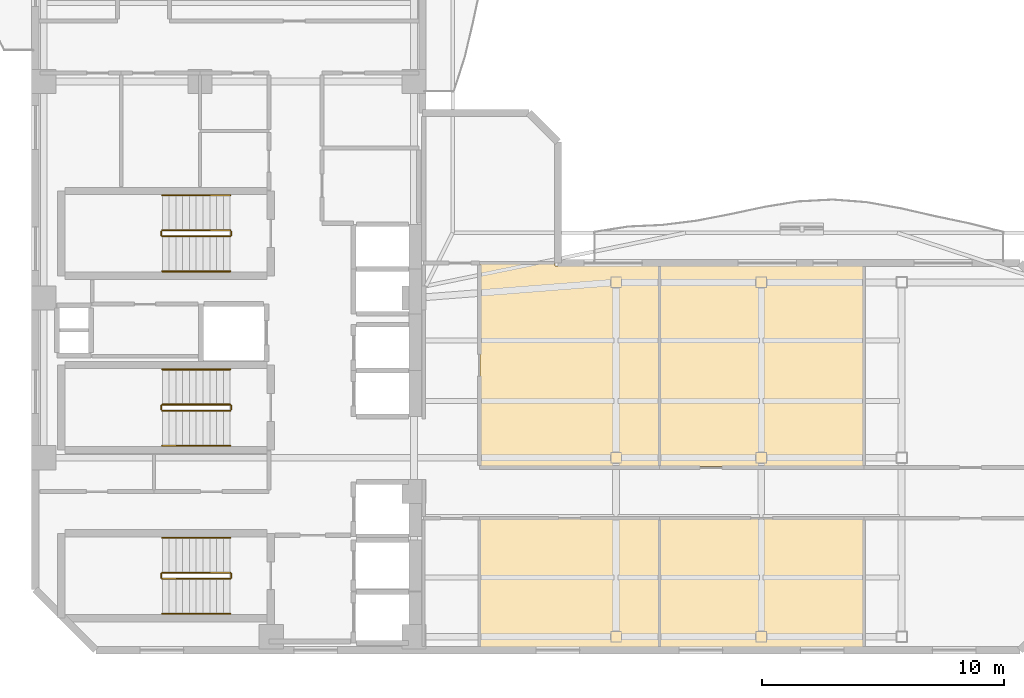
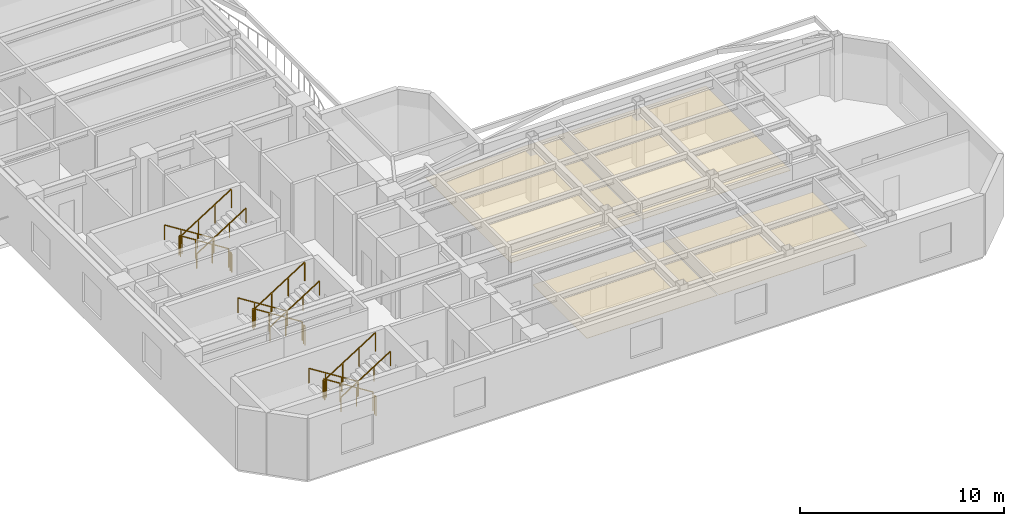
# One storey, part 7 of 9: 18 railings, 4 coverings.
"""IFC4 building model written with IfcOpenShell, lengths in metres."""

from ifc_helpers import new_model, si_unit, direction, frame, origin, origin_2d, place, context, subcontext, project, spatial, polyline, rectangle, outline, extrude, material, layer, layer_set, type_object, element, save


model = new_model("IFC4")

# Units and contexts
model_context = context("Model", 3, precision=1e-05, world=origin(), true_north=direction((0.0, 1.0)))
body_context = subcontext(model_context, "Body", "Model", "MODEL_VIEW")
ifc_project = project(units=[si_unit("LENGTHUNIT", "METRE"), si_unit("AREAUNIT", "SQUARE_METRE"), si_unit("VOLUMEUNIT", "CUBIC_METRE"), si_unit("PLANEANGLEUNIT", "RADIAN"), si_unit("MASSUNIT", "GRAM", prefix="KILO")], contexts=[model_context])

# Site, building, storey
site_placement = place(None, origin())
site = spatial("IfcSite", under=ifc_project, at=site_placement, CompositionType="ELEMENT")
building_placement = place(site_placement, origin())
building = spatial("IfcBuilding", under=site, at=building_placement, Name="Mawjaban Terraces University", CompositionType="ELEMENT")
storey_placement = place(building_placement, frame((0.0, 0.0, 222.60009765625)))
storey = spatial("IfcBuildingStorey", under=building, at=storey_placement, Name="L54", CompositionType="ELEMENT", Elevation=222.60009765625)

# Coverings
ifc_material_1 = material(Name="Acoustic mineral fibre ceiling tile", Category="masonry")
ifc_layer = layer(ifc_material_1, 0.02001953125)
ifc_layer_set = layer_set([ifc_layer], Name="Acoustic mineral fibre ceiling tile")
covering_type = type_object("IfcCoveringType", Name="AcousticMineralCeiling_20", PredefinedType="CEILING", material=ifc_layer_set)
covering_1_placement = place(storey_placement, frame((0.0, 0.0, 2.75)))
element("IfcCovering", 1, at=covering_1_placement, inside=storey, type_object=covering_type, Name="L54 Academic Counseling Room 2 Acoustic Ceiling", PredefinedType="CEILING", context=body_context, shape_type="SweptSolid", body=[
    extrude(outline(polyline([(40.3798828125, 0.114990234375), (47.77490234375, 0.114990234375), (47.77490234375, 5.419921875), (40.3798828125, 5.419921875), (40.3798828125, 0.114990234375)])), origin(), (0.0, 0.0, 1.0), 0.02001953125),
])
covering_2_placement = place(storey_placement, frame((0.0, 0.0, 2.75)))
element("IfcCovering", 2, at=covering_2_placement, inside=storey, type_object=covering_type, Name="L54 Academic Counseling Room 3 Acoustic Ceiling", PredefinedType="CEILING", context=body_context, shape_type="SweptSolid", body=[
    extrude(outline(polyline([(47.77490234375, 15.885009765625), (43.485107421875, 15.885009765625), (43.485107421875, 15.969970703125), (40.3798828125, 15.969970703125), (40.3798828125, 7.580078125), (47.77490234375, 7.580078125), (47.77490234375, 15.885009765625)])), origin(), (0.0, 0.0, 1.0), 0.02001953125),
])
covering_3_placement = place(storey_placement, frame((0.0, 0.0, 2.75)))
element("IfcCovering", 3, at=covering_3_placement, inside=storey, type_object=covering_type, Name="L54 Academic Counseling Room 4 Acoustic Ceiling", PredefinedType="CEILING", context=body_context, shape_type="SweptSolid", body=[
    extrude(outline(polyline([(47.8349609375, 0.114990234375), (56.22412109375, 0.114990234375), (56.22412109375, 5.419921875), (47.8349609375, 5.419921875), (47.8349609375, 0.114990234375)])), origin(), (0.0, 0.0, 1.0), 0.02001953125),
])
covering_4_placement = place(storey_placement, frame((0.0, 0.0, 2.75)))
element("IfcCovering", 4, at=covering_4_placement, inside=storey, type_object=covering_type, Name="L54 Faculty Office 5 Acoustic Ceiling", PredefinedType="CEILING", context=body_context, shape_type="SweptSolid", body=[
    extrude(outline(polyline([(56.22412109375, 15.885009765625), (47.8349609375, 15.885009765625), (47.8349609375, 7.580078125), (56.22412109375, 7.580078125), (56.22412109375, 15.885009765625)])), origin(), (0.0, 0.0, 1.0), 0.02001953125),
])

# Railings
ifc_material_2 = material(Name="Brushed stainless steel 316", Category="steel")
railing_type_1 = type_object("IfcRailingType", Name="StairWallHandrail_900", PredefinedType="HANDRAIL", material=ifc_material_2)
railing_1_placement = place(storey_placement, frame((30.050048828125, 4.64990234375, 0.17724609375)))
element("IfcRailing", 5, at=railing_1_placement, inside=storey, type_object=railing_type_1, Name="L54 ST-1 stair handrail 1", PredefinedType="HANDRAIL", context=body_context, shape_type="SweptSolid", body=[
    extrude(rectangle(XDim=0.048095703125, YDim=0.048095703125, at=origin_2d()), frame((0.0, 0.0, 0.8759765625), z_axis=(-0.844908973607, 0.0, 0.534910110503), x_axis=(0.0, -1.0, 0.0)), (0.0, 0.0, 1.0), 3.31396484375),
    extrude(rectangle(XDim=0.0419921875, YDim=0.0419921875, at=origin_2d()), origin(), (0.0, 0.0, 1.0), 0.851806640625),
    extrude(rectangle(XDim=0.0419921875, YDim=0.0419921875, at=origin_2d()), frame((-0.933349609375, 0.0, 0.5908203125)), (0.0, 0.0, 1.0), 0.851806640625),
    extrude(rectangle(XDim=0.0419921875, YDim=0.0419921875, at=origin_2d()), frame((-1.86669921875, 0.0, 1.181884765625)), (0.0, 0.0, 1.0), 0.851806640625),
    extrude(rectangle(XDim=0.0419921875, YDim=0.0419921875, at=origin_2d()), frame((-2.800048828125, 0.0, 1.772705078125)), (0.0, 0.0, 1.0), 0.851806640625),
])
railing_2_placement = place(storey_placement, frame((27.25, 1.5, 2.127197265625)))
element("IfcRailing", 6, at=railing_2_placement, inside=storey, type_object=railing_type_1, Name="L54 ST-1 stair handrail 2", PredefinedType="HANDRAIL", context=body_context, shape_type="SweptSolid", body=[
    extrude(rectangle(XDim=0.048095703125, YDim=0.048095703125, at=origin_2d()), frame((0.0, 0.0, 0.8759765625), z_axis=(0.844908973607, 0.0, 0.534910110503), x_axis=(0.0, 1.0, 0.0)), (0.0, 0.0, 1.0), 3.31396484375),
    extrude(rectangle(XDim=0.0419921875, YDim=0.0419921875, at=origin_2d()), origin(), (0.0, 0.0, 1.0), 0.851806640625),
    extrude(rectangle(XDim=0.0419921875, YDim=0.0419921875, at=origin_2d()), frame((0.933349609375, 0.0, 0.5908203125)), (0.0, 0.0, 1.0), 0.851806640625),
    extrude(rectangle(XDim=0.0419921875, YDim=0.0419921875, at=origin_2d()), frame((1.86669921875, 0.0, 1.181884765625)), (0.0, 0.0, 1.0), 0.851806640625),
    extrude(rectangle(XDim=0.0419921875, YDim=0.0419921875, at=origin_2d()), frame((2.800048828125, 0.0, 1.772705078125)), (0.0, 0.0, 1.0), 0.851806640625),
])
railing_3_placement = place(storey_placement, frame((30.050048828125, 18.800048828125, 0.17724609375)))
element("IfcRailing", 7, at=railing_3_placement, inside=storey, type_object=railing_type_1, Name="L54 ST-2 stair handrail 1", PredefinedType="HANDRAIL", context=body_context, shape_type="SweptSolid", body=[
    extrude(rectangle(XDim=0.048095703125, YDim=0.048095703125, at=origin_2d()), frame((0.0, 0.0, 0.8759765625), z_axis=(-0.844908973607, 0.0, 0.534910110503), x_axis=(0.0, -1.0, 0.0)), (0.0, 0.0, 1.0), 3.31396484375),
    extrude(rectangle(XDim=0.0419921875, YDim=0.0419921875, at=origin_2d()), origin(), (0.0, 0.0, 1.0), 0.851806640625),
    extrude(rectangle(XDim=0.0419921875, YDim=0.0419921875, at=origin_2d()), frame((-0.933349609375, 0.0, 0.5908203125)), (0.0, 0.0, 1.0), 0.851806640625),
    extrude(rectangle(XDim=0.0419921875, YDim=0.0419921875, at=origin_2d()), frame((-1.86669921875, 0.0, 1.181884765625)), (0.0, 0.0, 1.0), 0.851806640625),
    extrude(rectangle(XDim=0.0419921875, YDim=0.0419921875, at=origin_2d()), frame((-2.800048828125, 0.0, 1.772705078125)), (0.0, 0.0, 1.0), 0.851806640625),
])
railing_4_placement = place(storey_placement, frame((27.25, 15.64990234375, 2.127197265625)))
element("IfcRailing", 8, at=railing_4_placement, inside=storey, type_object=railing_type_1, Name="L54 ST-2 stair handrail 2", PredefinedType="HANDRAIL", context=body_context, shape_type="SweptSolid", body=[
    extrude(rectangle(XDim=0.048095703125, YDim=0.048095703125, at=origin_2d()), frame((0.0, 0.0, 0.8759765625), z_axis=(0.844908973607, 0.0, 0.534910110503), x_axis=(0.0, 1.0, 0.0)), (0.0, 0.0, 1.0), 3.31396484375),
    extrude(rectangle(XDim=0.0419921875, YDim=0.0419921875, at=origin_2d()), origin(), (0.0, 0.0, 1.0), 0.851806640625),
    extrude(rectangle(XDim=0.0419921875, YDim=0.0419921875, at=origin_2d()), frame((0.933349609375, 0.0, 0.5908203125)), (0.0, 0.0, 1.0), 0.851806640625),
    extrude(rectangle(XDim=0.0419921875, YDim=0.0419921875, at=origin_2d()), frame((1.86669921875, 0.0, 1.181884765625)), (0.0, 0.0, 1.0), 0.851806640625),
    extrude(rectangle(XDim=0.0419921875, YDim=0.0419921875, at=origin_2d()), frame((2.800048828125, 0.0, 1.772705078125)), (0.0, 0.0, 1.0), 0.851806640625),
])
railing_5_placement = place(storey_placement, frame((30.050048828125, 11.60009765625, 0.17724609375)))
element("IfcRailing", 9, at=railing_5_placement, inside=storey, type_object=railing_type_1, Name="L54 ST-3 stair handrail 1", PredefinedType="HANDRAIL", context=body_context, shape_type="SweptSolid", body=[
    extrude(rectangle(XDim=0.048095703125, YDim=0.048095703125, at=origin_2d()), frame((0.0, 0.0, 0.8759765625), z_axis=(-0.844908973607, 0.0, 0.534910110503), x_axis=(0.0, -1.0, 0.0)), (0.0, 0.0, 1.0), 3.31396484375),
    extrude(rectangle(XDim=0.0419921875, YDim=0.0419921875, at=origin_2d()), origin(), (0.0, 0.0, 1.0), 0.851806640625),
    extrude(rectangle(XDim=0.0419921875, YDim=0.0419921875, at=origin_2d()), frame((-0.933349609375, 0.0, 0.5908203125)), (0.0, 0.0, 1.0), 0.851806640625),
    extrude(rectangle(XDim=0.0419921875, YDim=0.0419921875, at=origin_2d()), frame((-1.86669921875, 0.0, 1.181884765625)), (0.0, 0.0, 1.0), 0.851806640625),
    extrude(rectangle(XDim=0.0419921875, YDim=0.0419921875, at=origin_2d()), frame((-2.800048828125, 0.0, 1.772705078125)), (0.0, 0.0, 1.0), 0.851806640625),
])
railing_6_placement = place(storey_placement, frame((27.25, 8.449951171875, 2.127197265625)))
element("IfcRailing", 10, at=railing_6_placement, inside=storey, type_object=railing_type_1, Name="L54 ST-3 stair handrail 2", PredefinedType="HANDRAIL", context=body_context, shape_type="SweptSolid", body=[
    extrude(rectangle(XDim=0.048095703125, YDim=0.048095703125, at=origin_2d()), frame((0.0, 0.0, 0.8759765625), z_axis=(0.844908973607, 0.0, 0.534910110503), x_axis=(0.0, 1.0, 0.0)), (0.0, 0.0, 1.0), 3.31396484375),
    extrude(rectangle(XDim=0.0419921875, YDim=0.0419921875, at=origin_2d()), origin(), (0.0, 0.0, 1.0), 0.851806640625),
    extrude(rectangle(XDim=0.0419921875, YDim=0.0419921875, at=origin_2d()), frame((0.933349609375, 0.0, 0.5908203125)), (0.0, 0.0, 1.0), 0.851806640625),
    extrude(rectangle(XDim=0.0419921875, YDim=0.0419921875, at=origin_2d()), frame((1.86669921875, 0.0, 1.181884765625)), (0.0, 0.0, 1.0), 0.851806640625),
    extrude(rectangle(XDim=0.0419921875, YDim=0.0419921875, at=origin_2d()), frame((2.800048828125, 0.0, 1.772705078125)), (0.0, 0.0, 1.0), 0.851806640625),
])
ifc_material_3 = material(Name="Galvanised painted steel S355", Category="steel")
railing_type_2 = type_object("IfcRailingType", Name="StairWellGuard_1150", PredefinedType="BALUSTRADE", material=ifc_material_3)
railing_7_placement = place(storey_placement, frame((30.050048828125, 3.199951171875, 0.17724609375)))
element("IfcRailing", 11, at=railing_7_placement, inside=storey, type_object=railing_type_2, Name="L54 ST-1 stair guard 1", PredefinedType="BALUSTRADE", context=body_context, shape_type="SweptSolid", body=[
    extrude(rectangle(XDim=0.048095703125, YDim=0.048095703125, at=origin_2d()), frame((0.0, 0.0, 1.1259765625), z_axis=(-0.844908973607, 0.0, 0.534910110503), x_axis=(0.0, -1.0, 0.0)), (0.0, 0.0, 1.0), 3.31396484375),
    extrude(rectangle(XDim=0.0419921875, YDim=0.0419921875, at=origin_2d()), origin(), (0.0, 0.0, 1.0), 1.101806640625),
    extrude(rectangle(XDim=0.0419921875, YDim=0.0419921875, at=origin_2d()), frame((-0.933349609375, 0.0, 0.5908203125)), (0.0, 0.0, 1.0), 1.101806640625),
    extrude(rectangle(XDim=0.0419921875, YDim=0.0419921875, at=origin_2d()), frame((-1.86669921875, 0.0, 1.181884765625)), (0.0, 0.0, 1.0), 1.101806640625),
    extrude(rectangle(XDim=0.0419921875, YDim=0.0419921875, at=origin_2d()), frame((-2.800048828125, 0.0, 1.772705078125)), (0.0, 0.0, 1.0), 1.101806640625),
])
railing_8_placement = place(storey_placement, frame((27.199951171875, 3.14990234375, 1.949951171875)))
element("IfcRailing", 12, at=railing_8_placement, inside=storey, type_object=railing_type_2, Name="L54 ST-1 stair guard 2", PredefinedType="BALUSTRADE", context=body_context, shape_type="SweptSolid", body=[
    extrude(rectangle(XDim=0.048095703125, YDim=0.048095703125, at=origin_2d()), frame((0.0, 0.0, 1.1259765625), z_axis=(0.0, -1.0, 0.0), x_axis=(1.0, 0.0, 0.0)), (0.0, 0.0, 1.0), 0.14990234375),
    extrude(rectangle(XDim=0.0419921875, YDim=0.0419921875, at=origin_2d()), origin(), (0.0, 0.0, 1.0), 1.101806640625),
    extrude(rectangle(XDim=0.0419921875, YDim=0.0419921875, at=origin_2d()), frame((0.0, -0.14990234375, 0.0)), (0.0, 0.0, 1.0), 1.101806640625),
])
railing_9_placement = place(storey_placement, frame((27.25, 2.949951171875, 2.127197265625)))
element("IfcRailing", 13, at=railing_9_placement, inside=storey, type_object=railing_type_2, Name="L54 ST-1 stair guard 3", PredefinedType="BALUSTRADE", context=body_context, shape_type="SweptSolid", body=[
    extrude(rectangle(XDim=0.048095703125, YDim=0.048095703125, at=origin_2d()), frame((0.0, 0.0, 1.1259765625), z_axis=(0.844908973607, 0.0, 0.534910110503), x_axis=(0.0, 1.0, 0.0)), (0.0, 0.0, 1.0), 3.31396484375),
    extrude(rectangle(XDim=0.0419921875, YDim=0.0419921875, at=origin_2d()), origin(), (0.0, 0.0, 1.0), 1.101806640625),
    extrude(rectangle(XDim=0.0419921875, YDim=0.0419921875, at=origin_2d()), frame((0.933349609375, 0.0, 0.5908203125)), (0.0, 0.0, 1.0), 1.101806640625),
    extrude(rectangle(XDim=0.0419921875, YDim=0.0419921875, at=origin_2d()), frame((1.86669921875, 0.0, 1.181884765625)), (0.0, 0.0, 1.0), 1.101806640625),
    extrude(rectangle(XDim=0.0419921875, YDim=0.0419921875, at=origin_2d()), frame((2.800048828125, 0.0, 1.772705078125)), (0.0, 0.0, 1.0), 1.101806640625),
])
railing_10_placement = place(storey_placement, frame((30.10009765625, 3.14990234375, 0.0)))
element("IfcRailing", 14, at=railing_10_placement, inside=storey, type_object=railing_type_2, Name="L54 ST-1 stair guard 4", PredefinedType="BALUSTRADE", context=body_context, shape_type="SweptSolid", body=[
    extrude(rectangle(XDim=0.048095703125, YDim=0.048095703125, at=origin_2d()), frame((0.0, 0.0, 1.1259765625), z_axis=(0.0, -1.0, 0.0), x_axis=(1.0, 0.0, 0.0)), (0.0, 0.0, 1.0), 0.14990234375),
    extrude(rectangle(XDim=0.0419921875, YDim=0.0419921875, at=origin_2d()), origin(), (0.0, 0.0, 1.0), 1.101806640625),
    extrude(rectangle(XDim=0.0419921875, YDim=0.0419921875, at=origin_2d()), frame((0.0, -0.14990234375, 0.0)), (0.0, 0.0, 1.0), 1.101806640625),
])
railing_11_placement = place(storey_placement, frame((30.050048828125, 17.35009765625, 0.17724609375)))
element("IfcRailing", 15, at=railing_11_placement, inside=storey, type_object=railing_type_2, Name="L54 ST-2 stair guard 1", PredefinedType="BALUSTRADE", context=body_context, shape_type="SweptSolid", body=[
    extrude(rectangle(XDim=0.048095703125, YDim=0.048095703125, at=origin_2d()), frame((0.0, 0.0, 1.1259765625), z_axis=(-0.844908973607, 0.0, 0.534910110503), x_axis=(0.0, -1.0, 0.0)), (0.0, 0.0, 1.0), 3.31396484375),
    extrude(rectangle(XDim=0.0419921875, YDim=0.0419921875, at=origin_2d()), origin(), (0.0, 0.0, 1.0), 1.101806640625),
    extrude(rectangle(XDim=0.0419921875, YDim=0.0419921875, at=origin_2d()), frame((-0.933349609375, 0.0, 0.5908203125)), (0.0, 0.0, 1.0), 1.101806640625),
    extrude(rectangle(XDim=0.0419921875, YDim=0.0419921875, at=origin_2d()), frame((-1.86669921875, 0.0, 1.181884765625)), (0.0, 0.0, 1.0), 1.101806640625),
    extrude(rectangle(XDim=0.0419921875, YDim=0.0419921875, at=origin_2d()), frame((-2.800048828125, 0.0, 1.772705078125)), (0.0, 0.0, 1.0), 1.101806640625),
])
railing_12_placement = place(storey_placement, frame((27.199951171875, 17.300048828125, 1.949951171875)))
element("IfcRailing", 16, at=railing_12_placement, inside=storey, type_object=railing_type_2, Name="L54 ST-2 stair guard 2", PredefinedType="BALUSTRADE", context=body_context, shape_type="SweptSolid", body=[
    extrude(rectangle(XDim=0.048095703125, YDim=0.048095703125, at=origin_2d()), frame((0.0, 0.0, 1.1259765625), z_axis=(0.0, -1.0, 0.0), x_axis=(1.0, 0.0, 0.0)), (0.0, 0.0, 1.0), 0.150146484375),
    extrude(rectangle(XDim=0.0419921875, YDim=0.0419921875, at=origin_2d()), origin(), (0.0, 0.0, 1.0), 1.101806640625),
    extrude(rectangle(XDim=0.0419921875, YDim=0.0419921875, at=origin_2d()), frame((0.0, -0.150146484375, 0.0)), (0.0, 0.0, 1.0), 1.101806640625),
])
railing_13_placement = place(storey_placement, frame((27.25, 17.10009765625, 2.127197265625)))
element("IfcRailing", 17, at=railing_13_placement, inside=storey, type_object=railing_type_2, Name="L54 ST-2 stair guard 3", PredefinedType="BALUSTRADE", context=body_context, shape_type="SweptSolid", body=[
    extrude(rectangle(XDim=0.048095703125, YDim=0.048095703125, at=origin_2d()), frame((0.0, 0.0, 1.1259765625), z_axis=(0.844908973607, 0.0, 0.534910110503), x_axis=(0.0, 1.0, 0.0)), (0.0, 0.0, 1.0), 3.31396484375),
    extrude(rectangle(XDim=0.0419921875, YDim=0.0419921875, at=origin_2d()), origin(), (0.0, 0.0, 1.0), 1.101806640625),
    extrude(rectangle(XDim=0.0419921875, YDim=0.0419921875, at=origin_2d()), frame((0.933349609375, 0.0, 0.5908203125)), (0.0, 0.0, 1.0), 1.101806640625),
    extrude(rectangle(XDim=0.0419921875, YDim=0.0419921875, at=origin_2d()), frame((1.86669921875, 0.0, 1.181884765625)), (0.0, 0.0, 1.0), 1.101806640625),
    extrude(rectangle(XDim=0.0419921875, YDim=0.0419921875, at=origin_2d()), frame((2.800048828125, 0.0, 1.772705078125)), (0.0, 0.0, 1.0), 1.101806640625),
])
railing_14_placement = place(storey_placement, frame((30.10009765625, 17.300048828125, 0.0)))
element("IfcRailing", 18, at=railing_14_placement, inside=storey, type_object=railing_type_2, Name="L54 ST-2 stair guard 4", PredefinedType="BALUSTRADE", context=body_context, shape_type="SweptSolid", body=[
    extrude(rectangle(XDim=0.048095703125, YDim=0.048095703125, at=origin_2d()), frame((0.0, 0.0, 1.1259765625), z_axis=(0.0, -1.0, 0.0), x_axis=(1.0, 0.0, 0.0)), (0.0, 0.0, 1.0), 0.150146484375),
    extrude(rectangle(XDim=0.0419921875, YDim=0.0419921875, at=origin_2d()), origin(), (0.0, 0.0, 1.0), 1.101806640625),
    extrude(rectangle(XDim=0.0419921875, YDim=0.0419921875, at=origin_2d()), frame((0.0, -0.150146484375, 0.0)), (0.0, 0.0, 1.0), 1.101806640625),
])
railing_15_placement = place(storey_placement, frame((30.050048828125, 10.14990234375, 0.17724609375)))
element("IfcRailing", 19, at=railing_15_placement, inside=storey, type_object=railing_type_2, Name="L54 ST-3 stair guard 1", PredefinedType="BALUSTRADE", context=body_context, shape_type="SweptSolid", body=[
    extrude(rectangle(XDim=0.048095703125, YDim=0.048095703125, at=origin_2d()), frame((0.0, 0.0, 1.1259765625), z_axis=(-0.844908973607, 0.0, 0.534910110503), x_axis=(0.0, -1.0, 0.0)), (0.0, 0.0, 1.0), 3.31396484375),
    extrude(rectangle(XDim=0.0419921875, YDim=0.0419921875, at=origin_2d()), origin(), (0.0, 0.0, 1.0), 1.101806640625),
    extrude(rectangle(XDim=0.0419921875, YDim=0.0419921875, at=origin_2d()), frame((-0.933349609375, 0.0, 0.5908203125)), (0.0, 0.0, 1.0), 1.101806640625),
    extrude(rectangle(XDim=0.0419921875, YDim=0.0419921875, at=origin_2d()), frame((-1.86669921875, 0.0, 1.181884765625)), (0.0, 0.0, 1.0), 1.101806640625),
    extrude(rectangle(XDim=0.0419921875, YDim=0.0419921875, at=origin_2d()), frame((-2.800048828125, 0.0, 1.772705078125)), (0.0, 0.0, 1.0), 1.101806640625),
])
railing_16_placement = place(storey_placement, frame((27.199951171875, 10.10009765625, 1.949951171875)))
element("IfcRailing", 20, at=railing_16_placement, inside=storey, type_object=railing_type_2, Name="L54 ST-3 stair guard 2", PredefinedType="BALUSTRADE", context=body_context, shape_type="SweptSolid", body=[
    extrude(rectangle(XDim=0.048095703125, YDim=0.048095703125, at=origin_2d()), frame((0.0, 0.0, 1.1259765625), z_axis=(0.0, -1.0, 0.0), x_axis=(1.0, 0.0, 0.0)), (0.0, 0.0, 1.0), 0.150146484375),
    extrude(rectangle(XDim=0.0419921875, YDim=0.0419921875, at=origin_2d()), origin(), (0.0, 0.0, 1.0), 1.101806640625),
    extrude(rectangle(XDim=0.0419921875, YDim=0.0419921875, at=origin_2d()), frame((0.0, -0.150146484375, 0.0)), (0.0, 0.0, 1.0), 1.101806640625),
])
railing_17_placement = place(storey_placement, frame((27.25, 9.89990234375, 2.127197265625)))
element("IfcRailing", 21, at=railing_17_placement, inside=storey, type_object=railing_type_2, Name="L54 ST-3 stair guard 3", PredefinedType="BALUSTRADE", context=body_context, shape_type="SweptSolid", body=[
    extrude(rectangle(XDim=0.048095703125, YDim=0.048095703125, at=origin_2d()), frame((0.0, 0.0, 1.1259765625), z_axis=(0.844908973607, 0.0, 0.534910110503), x_axis=(0.0, 1.0, 0.0)), (0.0, 0.0, 1.0), 3.31396484375),
    extrude(rectangle(XDim=0.0419921875, YDim=0.0419921875, at=origin_2d()), origin(), (0.0, 0.0, 1.0), 1.101806640625),
    extrude(rectangle(XDim=0.0419921875, YDim=0.0419921875, at=origin_2d()), frame((0.933349609375, 0.0, 0.5908203125)), (0.0, 0.0, 1.0), 1.101806640625),
    extrude(rectangle(XDim=0.0419921875, YDim=0.0419921875, at=origin_2d()), frame((1.86669921875, 0.0, 1.181884765625)), (0.0, 0.0, 1.0), 1.101806640625),
    extrude(rectangle(XDim=0.0419921875, YDim=0.0419921875, at=origin_2d()), frame((2.800048828125, 0.0, 1.772705078125)), (0.0, 0.0, 1.0), 1.101806640625),
])
railing_18_placement = place(storey_placement, frame((30.10009765625, 10.10009765625, 0.0)))
element("IfcRailing", 22, at=railing_18_placement, inside=storey, type_object=railing_type_2, Name="L54 ST-3 stair guard 4", PredefinedType="BALUSTRADE", context=body_context, shape_type="SweptSolid", body=[
    extrude(rectangle(XDim=0.048095703125, YDim=0.048095703125, at=origin_2d()), frame((0.0, 0.0, 1.1259765625), z_axis=(0.0, -1.0, 0.0), x_axis=(1.0, 0.0, 0.0)), (0.0, 0.0, 1.0), 0.150146484375),
    extrude(rectangle(XDim=0.0419921875, YDim=0.0419921875, at=origin_2d()), origin(), (0.0, 0.0, 1.0), 1.101806640625),
    extrude(rectangle(XDim=0.0419921875, YDim=0.0419921875, at=origin_2d()), frame((0.0, -0.150146484375, 0.0)), (0.0, 0.0, 1.0), 1.101806640625),
])

save(model, "model.ifc")
